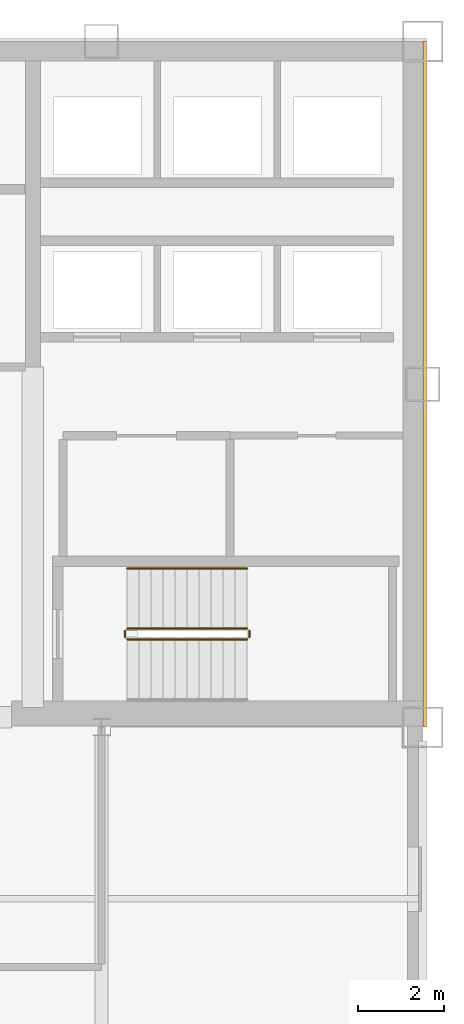
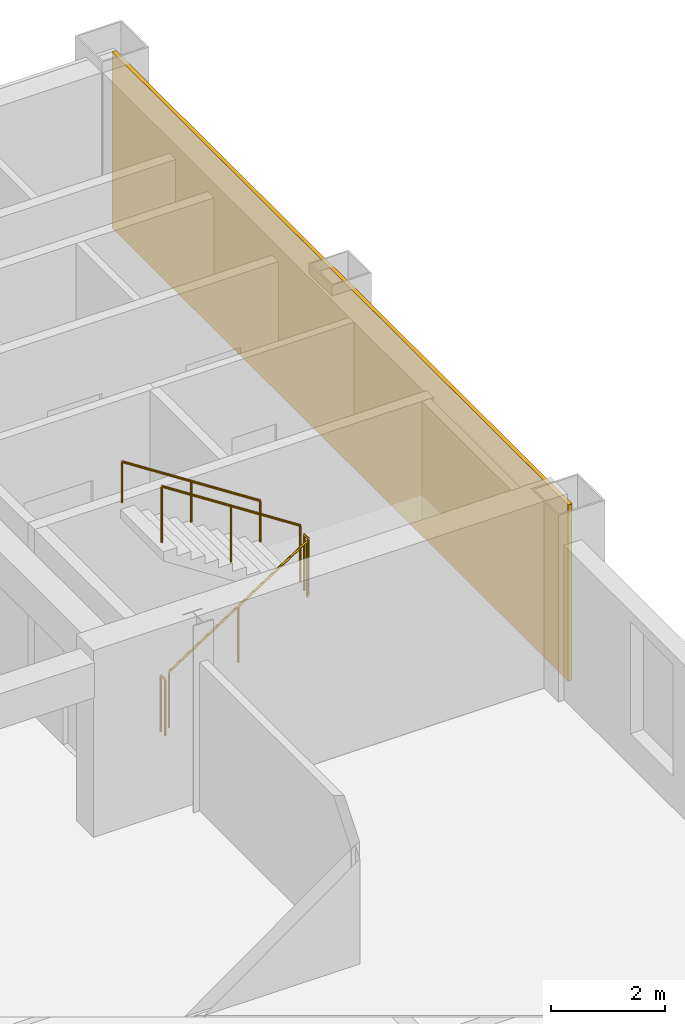
# One storey, part 8 of 10: 5 railings, 1 covering.
"""IFC4 building model written with IfcOpenShell, lengths in metres."""

from ifc_helpers import new_model, si_unit, direction, frame, origin, origin_2d, place, context, subcontext, project, spatial, rectangle, circle, extrude, material, layer, layer_set, type_object, element, save


model = new_model("IFC4")

# Units and contexts
model_context = context("Model", 3, precision=1e-05, world=origin(), true_north=direction((0.0, 1.0)))
body_context = subcontext(model_context, "Body", "Model", "MODEL_VIEW")
ifc_project = project(units=[si_unit("LENGTHUNIT", "METRE"), si_unit("AREAUNIT", "SQUARE_METRE"), si_unit("VOLUMEUNIT", "CUBIC_METRE"), si_unit("PLANEANGLEUNIT", "RADIAN"), si_unit("MASSUNIT", "GRAM", prefix="KILO")], contexts=[model_context])

# Site, building, storey
site_placement = place(None, origin())
site = spatial("IfcSite", under=ifc_project, at=site_placement, CompositionType="ELEMENT")
building_placement = place(site_placement, origin())
building = spatial("IfcBuilding", under=site, at=building_placement, Name="Qianrong Seaharbour Tower", CompositionType="ELEMENT")
storey_placement = place(building_placement, frame((0.0, 0.0, 233.800048828125)))
storey = spatial("IfcBuildingStorey", under=building, at=storey_placement, Name="L56", CompositionType="ELEMENT", Elevation=233.800048828125)

# Covering
ifc_material_1 = material(Name="Unitised red brick cladding on Precast concrete C45/55", Category="masonry")
ifc_layer = layer(ifc_material_1, 0.080078125)
ifc_layer_set = layer_set([ifc_layer], Name="Unitised red brick cladding on Precast concrete C45/55")
covering_type = type_object("IfcCoveringType", Name="COV-CLAD-RED-BRICK-80", PredefinedType="CLADDING", material=ifc_layer_set)
covering_placement = place(storey_placement, frame((64.0400390625, 44.0, 0.0), z_axis=(0.0, 0.0, 1.0), x_axis=(1.0, 0.0, 0.0)))
element("IfcCovering", 1, at=covering_placement, inside=storey, type_object=covering_type, Name="L56 East Core Brick Veneer Cladding", PredefinedType="CLADDING", context=body_context, shape_type="SweptSolid", body=[
    extrude(rectangle(XDim=0.080078125, YDim=16.0, at=origin_2d()), origin(), (0.0, 0.0, 1.0), 3.77490234375),
])

# Railings
ifc_material_2 = material(Name="Galvanized painted steel SN400B stair guard", Category="steel")
railing_type_1 = type_object("IfcRailingType", Name="RAIL-STAIR-GUARD-1220", PredefinedType="GUARDRAIL", material=ifc_material_2)
railing_1_placement = place(storey_placement, frame((57.10009765625, 38.050048828125, 0.181884765625)))
element("IfcRailing", 2, at=railing_1_placement, inside=storey, type_object=railing_type_1, Name="L56 ST-2 stair guard 1", PredefinedType="GUARDRAIL", context=body_context, shape_type="SweptSolid", body=[
    extrude(circle(Radius=0.02392578125, at=origin_2d()), frame((0.0, 0.0, 1.19580078125), z_axis=(0.83868413941, 0.0, 0.544618136222), x_axis=(0.0, 1.0, 0.0)), (0.0, 0.0, 1.0), 3.33837890625),
    extrude(circle(Radius=0.02099609375, at=origin_2d()), origin(), (0.0, 0.0, 1.0), 1.171875),
    extrude(circle(Radius=0.02099609375, at=origin_2d()), frame((1.39990234375, 0.0, 0.9091796875)), (0.0, 0.0, 1.0), 1.171875),
    extrude(circle(Radius=0.02099609375, at=origin_2d()), frame((2.7998046875, 0.0, 1.818115234375)), (0.0, 0.0, 1.0), 1.171875),
])
railing_2_placement = place(storey_placement, frame((59.949951171875, 38.10009765625, 2.0)))
element("IfcRailing", 3, at=railing_2_placement, inside=storey, type_object=railing_type_1, Name="L56 ST-2 stair guard 2", PredefinedType="GUARDRAIL", context=body_context, shape_type="SweptSolid", body=[
    extrude(circle(Radius=0.02392578125, at=origin_2d()), frame((0.0, 0.0, 1.19580078125), z_axis=(0.0, 1.0, 0.0), x_axis=(-1.0, 0.0, 0.0)), (0.0, 0.0, 1.0), 0.14990234375),
    extrude(circle(Radius=0.02099609375, at=origin_2d()), origin(), (0.0, 0.0, 1.0), 1.171875),
    extrude(circle(Radius=0.02099609375, at=origin_2d()), frame((0.0, 0.14990234375, 0.0)), (0.0, 0.0, 1.0), 1.171875),
])
railing_3_placement = place(storey_placement, frame((59.89990234375, 38.300048828125, 2.181884765625)))
element("IfcRailing", 4, at=railing_3_placement, inside=storey, type_object=railing_type_1, Name="L56 ST-2 stair guard 3", PredefinedType="GUARDRAIL", context=body_context, shape_type="SweptSolid", body=[
    extrude(circle(Radius=0.02392578125, at=origin_2d()), frame((0.0, 0.0, 1.19580078125), z_axis=(-0.83868413941, 0.0, 0.544618136222), x_axis=(0.0, -1.0, 0.0)), (0.0, 0.0, 1.0), 3.33837890625),
    extrude(circle(Radius=0.02099609375, at=origin_2d()), origin(), (0.0, 0.0, 1.0), 1.171875),
    extrude(circle(Radius=0.02099609375, at=origin_2d()), frame((-1.39990234375, 0.0, 0.9091796875)), (0.0, 0.0, 1.0), 1.171875),
    extrude(circle(Radius=0.02099609375, at=origin_2d()), frame((-2.7998046875, 0.0, 1.818115234375)), (0.0, 0.0, 1.0), 1.171875),
])
railing_4_placement = place(storey_placement, frame((57.050048828125, 38.10009765625, 0.0)))
element("IfcRailing", 5, at=railing_4_placement, inside=storey, type_object=railing_type_1, Name="L56 ST-2 stair guard 4", PredefinedType="GUARDRAIL", context=body_context, shape_type="SweptSolid", body=[
    extrude(circle(Radius=0.02392578125, at=origin_2d()), frame((0.0, 0.0, 1.19580078125), z_axis=(0.0, 1.0, 0.0), x_axis=(-1.0, 0.0, 0.0)), (0.0, 0.0, 1.0), 0.14990234375),
    extrude(circle(Radius=0.02099609375, at=origin_2d()), origin(), (0.0, 0.0, 1.0), 1.171875),
    extrude(circle(Radius=0.02099609375, at=origin_2d()), frame((0.0, 0.14990234375, 0.0)), (0.0, 0.0, 1.0), 1.171875),
])
ifc_material_3 = material(Name="Stainless steel SUS316L continuous handrail", Category="steel")
railing_type_2 = type_object("IfcRailingType", Name="RAIL-STAIR-HANDRAIL-900", PredefinedType="HANDRAIL", material=ifc_material_3)
railing_5_placement = place(storey_placement, frame((59.89990234375, 39.699951171875, 2.181884765625)))
element("IfcRailing", 6, at=railing_5_placement, inside=storey, type_object=railing_type_2, Name="L56 ST-2 stair handrail 2", PredefinedType="HANDRAIL", context=body_context, shape_type="SweptSolid", body=[
    extrude(circle(Radius=0.02392578125, at=origin_2d()), frame((0.0, 0.0, 0.8759765625), z_axis=(-0.83868413941, 0.0, 0.544618136222), x_axis=(0.0, -1.0, 0.0)), (0.0, 0.0, 1.0), 3.33837890625),
    extrude(circle(Radius=0.02099609375, at=origin_2d()), origin(), (0.0, 0.0, 1.0), 0.851806640625),
    extrude(circle(Radius=0.02099609375, at=origin_2d()), frame((-1.39990234375, 0.0, 0.9091796875)), (0.0, 0.0, 1.0), 0.851806640625),
    extrude(circle(Radius=0.02099609375, at=origin_2d()), frame((-2.7998046875, 0.0, 1.818115234375)), (0.0, 0.0, 1.0), 0.851806640625),
])

save(model, "model.ifc")
